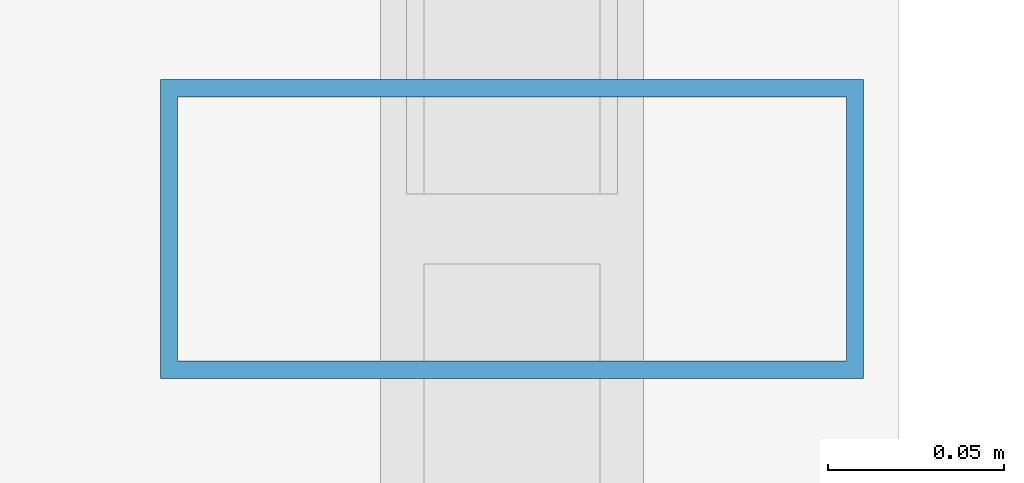
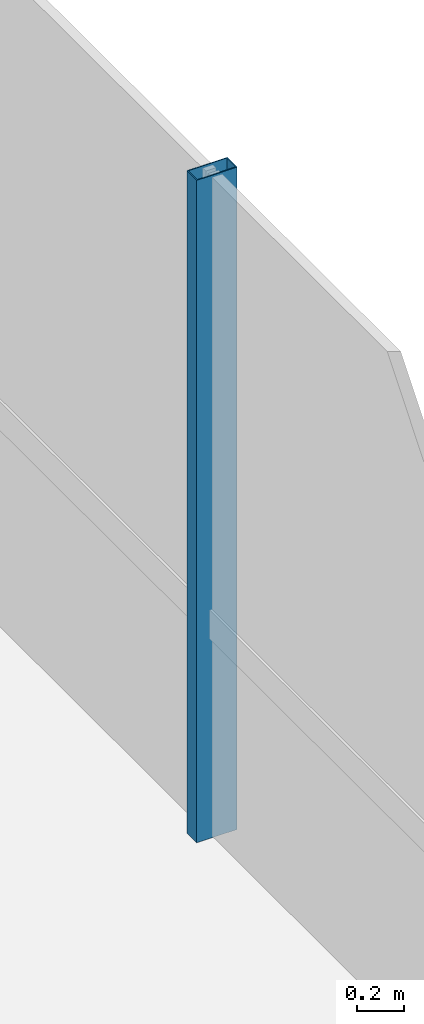
# One storey, part 7 of 34: 1 member, 1 element without a shape of its own.
"""IFC4 building model written with IfcOpenShell, lengths in metres."""

from ifc_helpers import new_model, si_unit, direction, frame, origin, origin_2d, place, context, subcontext, project, spatial, hollow_rectangle, extrude, source, transform, mapped, material, material_profile, profile_set, type_object, element, aggregate, save


model = new_model("IFC4")

# Units and contexts
model_context = context("Model", 3, precision=1e-05, world=origin(), true_north=direction((0.0, 1.0)))
body_context = subcontext(model_context, "Body", "Model", "MODEL_VIEW")
ifc_project = project(units=[si_unit("LENGTHUNIT", "METRE"), si_unit("AREAUNIT", "SQUARE_METRE"), si_unit("VOLUMEUNIT", "CUBIC_METRE"), si_unit("PLANEANGLEUNIT", "RADIAN"), si_unit("MASSUNIT", "GRAM", prefix="KILO")], contexts=[model_context])

# Site, building, storey
site_placement = place(None, origin())
site = spatial("IfcSite", under=ifc_project, at=site_placement, CompositionType="ELEMENT")
building_placement = place(site_placement, origin())
building = spatial("IfcBuilding", under=site, at=building_placement, Name="Valdorenza Pilgrim Sanctuary Tower", CompositionType="ELEMENT")
storey_placement = place(building_placement, frame((0.0, 0.0, 161.199951171875)))
storey = spatial("IfcBuildingStorey", under=building, at=storey_placement, Name="L41", CompositionType="ELEMENT", Elevation=161.199951171875)

# Curtain wall, member
ifc_material_1 = material(Name="Curtain-wall IGU glazing", Category="glass")
curtain_wall_type = type_object("IfcCurtainWallType", Name="CW-SYS-02", PredefinedType="NOTDEFINED", material=ifc_material_1)
curtain_wall_placement = place(storey_placement, origin())
curtain_wall = element("IfcCurtainWall", 1, at=curtain_wall_placement, inside=storey, type_object=curtain_wall_type, Name="L41 Curtain Wall CW-L41-1-21", PredefinedType="NOTDEFINED")
ifc_material_2 = material(Name="Anodised aluminium AW-6060", Category="aluminium")
ifc_material_profile = material_profile(ifc_material_2, hollow_rectangle(XDim=0.0849609375, YDim=0.199951171875, WallThickness=0.0048828125, at=origin_2d()), Name="ALU-M 200x85x5")
ifc_profile_set = profile_set([ifc_material_profile], Name="Anodised aluminium AW-6060")
member_type = type_object("IfcMemberType", Name="CW-MUL-02", PredefinedType="MULLION", material=ifc_profile_set)
shared_shape = source(origin(), body_context, "Body", "SweptSolid", [
    extrude(hollow_rectangle(XDim=0.0849609375, YDim=0.199951171875, WallThickness=0.0048828125, at=origin_2d()), origin(), (0.0, 0.0, 1.0), 3.4599609375),
])
member_placement = place(storey_placement, frame((-9.610107421875, -2.0224609375, 0.0), z_axis=(0.0, 0.0, 1.0), x_axis=(0.0, -1.0, 0.0)))
member = element("IfcMember", 2, at=member_placement, type_object=member_type, Name="CW-L41-1-21 Mullion 2", PredefinedType="MULLION", context=body_context, shape_type="MappedRepresentation", body=[
    mapped(shared_shape, transform((0.0, 0.0, 0.0), x_axis=(1.0, 0.0, 0.0), y_axis=(0.0, 1.0, 0.0), z_axis=(0.0, 0.0, 1.0), scale=1.0)),
])
aggregate(curtain_wall, [member])

save(model, "model.ifc")
